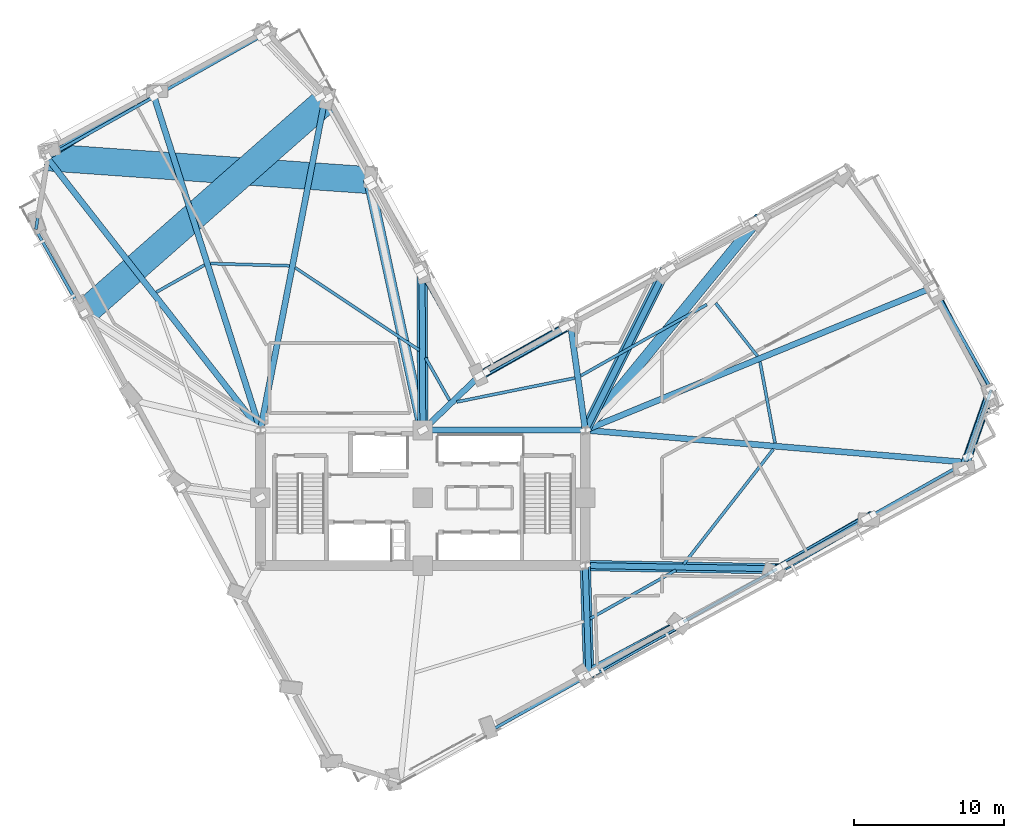
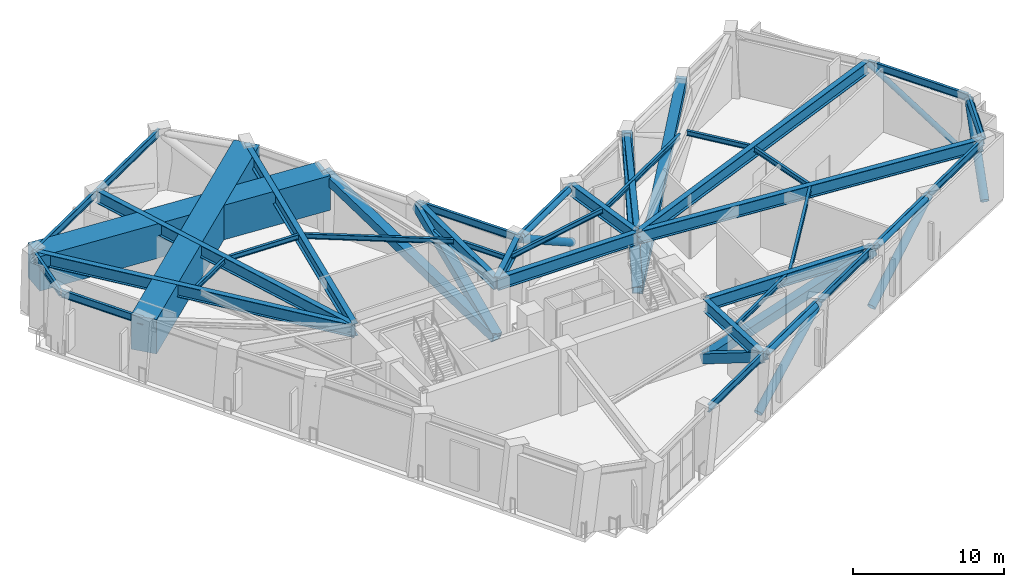
# One storey, part 4 of 15: 36 beams, 17 members.
"""IFC4 building model written with IfcOpenShell, lengths in metres."""

from ifc_helpers import new_model, si_unit, direction, frame, origin, origin_2d, place, context, subcontext, project, spatial, rectangle, hollow_rectangle, hollow_circle, i_section, extrude, material, material_profile, profile_set, type_object, element, save


model = new_model("IFC4")

# Units and contexts
model_context = context("Model", 3, precision=1e-05, world=origin(), true_north=direction((0.0, 1.0)))
body_context = subcontext(model_context, "Body", "Model", "MODEL_VIEW")
ifc_project = project(units=[si_unit("LENGTHUNIT", "METRE"), si_unit("AREAUNIT", "SQUARE_METRE"), si_unit("VOLUMEUNIT", "CUBIC_METRE"), si_unit("PLANEANGLEUNIT", "RADIAN"), si_unit("MASSUNIT", "GRAM", prefix="KILO")], contexts=[model_context])

# Site, building, storey
site_placement = place(None, origin())
site = spatial("IfcSite", under=ifc_project, at=site_placement, CompositionType="ELEMENT")
building_placement = place(site_placement, origin())
building = spatial("IfcBuilding", under=site, at=building_placement, Name="Gaonmaruhae Medical Tower", CompositionType="ELEMENT")
storey_placement = place(building_placement, frame((0.0, 0.0, 144.39990234375)))
storey = spatial("IfcBuildingStorey", under=building, at=storey_placement, Name="L34", CompositionType="ELEMENT", Elevation=144.39990234375)

# Beams
ifc_material_1 = material(Name="Steel SM420", Category="steel")
ifc_material_profile_1 = material_profile(ifc_material_1, i_section(OverallWidth=0.39990234375, OverallDepth=1.0, WebThickness=0.02197265625, FlangeThickness=0.035888671875, at=origin_2d()), Name="BH-1000x400x22x36")
ifc_profile_set_1 = profile_set([ifc_material_profile_1], Name="Steel SM420")
beam_type_1 = type_object("IfcBeamType", Name="BG-02 Refuge Floor Primary Girder (BH-1000x400x22x36)", PredefinedType="BEAM", material=ifc_profile_set_1)
beam_1_placement = place(storey_placement, frame((24.85009765625, 16.800048828125, 4.68017578125), z_axis=(1.0, 0.0, 0.0), x_axis=(0.0, 1.0, 0.0)))
element("IfcBeam", 1, at=beam_1_placement, inside=storey, type_object=beam_type_1, Name="L34 Beam BM-L34-CG-N2", PredefinedType="BEAM", context=body_context, shape_type="SweptSolid", body=[
    extrude(i_section(OverallWidth=0.39990234375, OverallDepth=1.0, WebThickness=0.02197265625, FlangeThickness=0.035888671875, at=origin_2d()), origin(), (0.0, 0.0, 1.0), 10.699951171875),
])
beam_2_placement = place(storey_placement, frame((35.6015625, 7.75, 4.68017578125), z_axis=(0.031759100966, -0.999495552519, 0.0), x_axis=(0.999495552519, 0.031759100966, 0.0)))
element("IfcBeam", 2, at=beam_2_placement, inside=storey, type_object=beam_type_1, Name="L34 Radial Primary Girder S03", PredefinedType="BEAM", context=body_context, shape_type="SweptSolid", body=[
    extrude(i_section(OverallWidth=0.39990234375, OverallDepth=1.0, WebThickness=0.02197265625, FlangeThickness=0.035888671875, at=origin_2d()), origin(), (0.0, 0.0, 1.0), 7.1953125),
])
beam_3_placement = place(storey_placement, frame((35.64990234375, 7.799072265625, 4.68017578125), z_axis=(0.999862745676, -0.01656773398, 0.0), x_axis=(0.01656773398, 0.999862745676, 0.0)))
element("IfcBeam", 3, at=beam_3_placement, inside=storey, type_object=beam_type_1, Name="L34 Radial Primary Girder S05", PredefinedType="BEAM", context=body_context, shape_type="SweptSolid", body=[
    extrude(i_section(OverallWidth=0.39990234375, OverallDepth=1.0, WebThickness=0.02197265625, FlangeThickness=0.035888671875, at=origin_2d()), origin(), (0.0, 0.0, 1.0), 12.6728515625),
])
beam_4_placement = place(storey_placement, frame((35.64990234375, 16.7958984375, 4.68017578125), z_axis=(0.996472030098, -0.083925521932, 0.0), x_axis=(0.083925521932, 0.996472030098, 0.0)))
element("IfcBeam", 4, at=beam_4_placement, inside=storey, type_object=beam_type_1, Name="L34 Radial Primary Girder S07", PredefinedType="BEAM", context=body_context, shape_type="SweptSolid", body=[
    extrude(i_section(OverallWidth=0.39990234375, OverallDepth=1.0, WebThickness=0.02197265625, FlangeThickness=0.035888671875, at=origin_2d()), origin(), (0.0, 0.0, 1.0), 25.2998046875),
])
beam_5_placement = place(storey_placement, frame((35.646240234375, 16.819091796875, 4.68017578125), z_axis=(0.924974280189, 0.380029710667, 0.0), x_axis=(-0.380029710667, 0.924974280189, 0.0)))
element("IfcBeam", 5, at=beam_5_placement, inside=storey, type_object=beam_type_1, Name="L34 Radial Primary Girder E02", PredefinedType="BEAM", context=body_context, shape_type="SweptSolid", body=[
    extrude(i_section(OverallWidth=0.39990234375, OverallDepth=1.0, WebThickness=0.02197265625, FlangeThickness=0.035888671875, at=origin_2d()), origin(), (0.0, 0.0, 1.0), 24.934326171875),
])
beam_6_placement = place(storey_placement, frame((35.593017578125, 16.849609375, 4.68017578125), z_axis=(-0.139323330231, 0.990246943774, 0.0), x_axis=(-0.990246943774, -0.139323330231, 0.0)))
element("IfcBeam", 6, at=beam_6_placement, inside=storey, type_object=beam_type_1, Name="L34 Radial Primary Girder EN03", PredefinedType="BEAM", context=body_context, shape_type="SweptSolid", body=[
    extrude(i_section(OverallWidth=0.39990234375, OverallDepth=1.0, WebThickness=0.02197265625, FlangeThickness=0.035888671875, at=origin_2d()), origin(), (0.0, 0.0, 1.0), 6.989990234375),
])
beam_7_placement = place(storey_placement, frame((24.836181640625, 16.834716796875, 4.68017578125), z_axis=(0.721931498432, 0.691964530573, 0.0), x_axis=(-0.691964530573, 0.721931498432, 0.0)))
element("IfcBeam", 7, at=beam_7_placement, inside=storey, type_object=beam_type_1, Name="L34 Radial Primary Girder KN01", PredefinedType="BEAM", context=body_context, shape_type="SweptSolid", body=[
    extrude(i_section(OverallWidth=0.39990234375, OverallDepth=1.0, WebThickness=0.02197265625, FlangeThickness=0.035888671875, at=origin_2d()), origin(), (0.0, 0.0, 1.0), 5.108154296875),
])
beam_8_placement = place(storey_placement, frame((24.7998046875, 16.85009765625, 4.68017578125), z_axis=(-0.004857779516, 0.999988200919, 0.0), x_axis=(-0.999988200919, -0.004857779516, 0.0)))
element("IfcBeam", 8, at=beam_8_placement, inside=storey, type_object=beam_type_1, Name="L34 Radial Primary Girder NE01", PredefinedType="BEAM", context=body_context, shape_type="SweptSolid", body=[
    extrude(i_section(OverallWidth=0.39990234375, OverallDepth=1.0, WebThickness=0.02197265625, FlangeThickness=0.035888671875, at=origin_2d()), origin(), (0.0, 0.0, 1.0), 10.25244140625),
])
beam_9_placement = place(storey_placement, frame((14.009521484375, 16.84912109375, 4.66015625), z_axis=(0.19138247335, 0.981515536756, 0.0), x_axis=(-0.981515536756, 0.19138247335, 0.0)))
element("IfcBeam", 9, at=beam_9_placement, inside=storey, type_object=beam_type_1, Name="L34 Radial Primary Girder NE03", PredefinedType="BEAM", context=body_context, shape_type="SweptSolid", body=[
    extrude(i_section(OverallWidth=0.39990234375, OverallDepth=1.0, WebThickness=0.02197265625, FlangeThickness=0.035888671875, at=origin_2d()), origin(), (0.0, 0.0, 1.0), 22.158447265625),
])
beam_10_placement = place(storey_placement, frame((13.98486328125, 16.84765625, 4.66015625), z_axis=(-0.303529832907, 0.952821935377, 0.0), x_axis=(-0.952821935377, -0.303529832907, 0.0)))
element("IfcBeam", 10, at=beam_10_placement, inside=storey, type_object=beam_type_1, Name="L34 Radial Primary Girder N02", PredefinedType="BEAM", context=body_context, shape_type="SweptSolid", body=[
    extrude(i_section(OverallWidth=0.39990234375, OverallDepth=1.0, WebThickness=0.02197265625, FlangeThickness=0.035888671875, at=origin_2d()), origin(), (0.0, 0.0, 1.0), 23.169677734375),
])
beam_11_placement = place(storey_placement, frame((13.96923828125, 16.83935546875, 4.66015625), z_axis=(-0.616490472213, 0.787362367446, 0.0), x_axis=(-0.787362367446, -0.616490472213, 0.0)))
element("IfcBeam", 11, at=beam_11_placement, inside=storey, type_object=beam_type_1, Name="L34 Radial Primary Girder N03", PredefinedType="BEAM", context=body_context, shape_type="SweptSolid", body=[
    extrude(i_section(OverallWidth=0.39990234375, OverallDepth=1.0, WebThickness=0.02197265625, FlangeThickness=0.035888671875, at=origin_2d()), origin(), (0.0, 0.0, 1.0), 22.939208984375),
])

# Members
ifc_material_2 = material(Name="Steel HSA650 (650 MPa)", Category="steel")
ifc_material_profile_2 = material_profile(ifc_material_2, hollow_circle(Radius=0.25390625, WallThickness=0.01611328125, at=origin_2d()), Name="CHS-508.0x16.0")
ifc_profile_set_2 = profile_set([ifc_material_profile_2], Name="Steel HSA650 (650 MPa)")
member_type_1 = type_object("IfcMemberType", Name="BT-C1 Belt Truss Perimeter Chord (CHS-508.0x16.0)", PredefinedType="CHORD", material=ifc_profile_set_2)
for number, where, z_axis, x_axis, name in (
    (12, (36.197509765625, 0.71484375, 4.830078125), (0.870782957433, 0.491667612361, 0.0), (-0.491667612361, 0.870782957433, 0.0), "L34 Belt Truss Top Chord BTC01"),
    (13, (48.73681640625, 7.794921875, 4.830078125), (0.870782957433, 0.491667612361, 0.0), (-0.491667612361, 0.870782957433, 0.0), "L34 Belt Truss Top Chord BTC02"),
):
    element("IfcMember", number, at=place(storey_placement, frame(where, z_axis=z_axis, x_axis=x_axis)), inside=storey, type_object=member_type_1, Name=name, PredefinedType="CHORD", context=body_context, shape_type="SweptSolid", body=[
        extrude(hollow_circle(Radius=0.25390625, WallThickness=0.01611328125, at=origin_2d()), origin(), (0.0, 0.0, 1.0), 6.35986328125),
    ])
member_1_placement = place(storey_placement, frame((61.047607421875, 15.065185546875, 4.830078125), z_axis=(0.327253034597, 0.944936744627, 0.0), x_axis=(-0.944936744627, 0.327253034597, 0.0)))
element("IfcMember", 14, at=member_1_placement, inside=storey, type_object=member_type_1, Name="L34 Belt Truss Top Chord BTC03", PredefinedType="CHORD", context=body_context, shape_type="SweptSolid", body=[
    extrude(hollow_circle(Radius=0.25390625, WallThickness=0.01611328125, at=origin_2d()), origin(), (0.0, 0.0, 1.0), 4.29638671875),
])
member_2_placement = place(storey_placement, frame((34.246337890625, 23.614501953125, 4.830078125), z_axis=(-0.870798649519, -0.491639819377, 0.0), x_axis=(0.491639819377, -0.870798649519, 0.0)))
element("IfcMember", 15, at=member_2_placement, inside=storey, type_object=member_type_1, Name="L34 Belt Truss Top Chord BTC05", PredefinedType="CHORD", context=body_context, shape_type="SweptSolid", body=[
    extrude(hollow_circle(Radius=0.25390625, WallThickness=0.01611328125, at=origin_2d()), origin(), (0.0, 0.0, 1.0), 6.10986328125),
])
ifc_material_profile_3 = material_profile(ifc_material_2, hollow_circle(Radius=0.3046875, WallThickness=0.02197265625, at=origin_2d()), Name="CHS-609.6x22.0")
ifc_profile_set_3 = profile_set([ifc_material_profile_3], Name="Steel HSA650 (650 MPa)")
member_type_2 = type_object("IfcMemberType", Name="BT-D2 Belt Truss Diagonal Tubular (CHS-609.6x22.0)", PredefinedType="BRACE", material=ifc_profile_set_3)
member_3_placement = place(storey_placement, frame((35.4287109375, 0.474853515625, 0.35009765625), z_axis=(0.7586245691, 0.406278139033, 0.509339608612), x_axis=(-0.472105945163, 0.881541817807, 0.0)))
element("IfcMember", 16, at=member_3_placement, inside=storey, type_object=member_type_2, Name="L34 Belt Truss Diagonal BTD01", PredefinedType="BRACE", context=body_context, shape_type="SweptSolid", body=[
    extrude(hollow_circle(Radius=0.3046875, WallThickness=0.02197265625, at=origin_2d()), origin(), (0.0, 0.0, 1.0), 8.795654296875),
])
member_4_placement = place(storey_placement, frame((48.08349609375, 7.345703125, 0.35009765625), z_axis=(0.745440734217, 0.430034207162, 0.509302162219), x_axis=(-0.499698256035, 0.866199545668, 0.0)))
element("IfcMember", 17, at=member_4_placement, inside=storey, type_object=member_type_2, Name="L34 Belt Truss Diagonal BTD02", PredefinedType="BRACE", context=body_context, shape_type="SweptSolid", body=[
    extrude(hollow_circle(Radius=0.3046875, WallThickness=0.02197265625, at=origin_2d()), origin(), (0.0, 0.0, 1.0), 8.79638671875),
])
member_5_placement = place(storey_placement, frame((60.738525390625, 14.216796875, 0.35009765625), z_axis=(0.257777351237, 0.738205303423, 0.623380916605), x_axis=(-0.944095182888, 0.329672998056, 0.0)))
element("IfcMember", 18, at=member_5_placement, inside=storey, type_object=member_type_2, Name="L34 Belt Truss Diagonal BTD03", PredefinedType="BRACE", context=body_context, shape_type="SweptSolid", body=[
    extrude(hollow_circle(Radius=0.3046875, WallThickness=0.02197265625, at=origin_2d()), origin(), (0.0, 0.0, 1.0), 7.1865234375),
])
member_6_placement = place(storey_placement, frame((34.595703125, 23.804443359375, 0.35009765625), z_axis=(-0.731596574764, -0.412170418789, 0.543030383744), x_axis=(0.490846748137, -0.871245929599, 0.0)))
element("IfcMember", 19, at=member_6_placement, inside=storey, type_object=member_type_2, Name="L34 Belt Truss Diagonal BTD05", PredefinedType="BRACE", context=body_context, shape_type="SweptSolid", body=[
    extrude(hollow_circle(Radius=0.3046875, WallThickness=0.02197265625, at=origin_2d()), origin(), (0.0, 0.0, 1.0), 8.25),
])

# Beams
ifc_material_3 = material(Name="Steel SM355", Category="steel")
ifc_material_profile_4 = material_profile(ifc_material_3, i_section(OverallWidth=0.199951171875, OverallDepth=0.39990234375, WebThickness=0.008056640625, FlangeThickness=0.012939453125, FilletRadius=0.012939453125, at=origin_2d()), Name="H-400x200x8x13")
ifc_profile_set_4 = profile_set([ifc_material_profile_4], Name="Steel SM355")
beam_type_2 = type_object("IfcBeamType", Name="FJ-01 Lower Zone Ward Floor Joist (H-400x200x8x13)", PredefinedType="JOIST", material=ifc_profile_set_4)
beam_12_placement = place(storey_placement, frame((35.91748046875, 4.26806640625, 4.97998046875), z_axis=(0.870796072267, 0.49164438421, 0.0), x_axis=(-0.49164438421, 0.870796072267, 0.0)))
element("IfcBeam", 20, at=beam_12_placement, inside=storey, type_object=beam_type_2, Name="L34 Secondary Floor Joist FJ02", PredefinedType="JOIST", context=body_context, shape_type="SweptSolid", body=[
    extrude(i_section(OverallWidth=0.199951171875, OverallDepth=0.39990234375, WebThickness=0.008056640625, FlangeThickness=0.012939453125, FilletRadius=0.012939453125, at=origin_2d()), origin(), (0.0, 0.0, 1.0), 6.5673828125),
])
beam_13_placement = place(storey_placement, frame((42.14306640625, 7.896484375, 4.97998046875), z_axis=(0.614947868744, 0.788567764195, 0.0), x_axis=(-0.788567764195, 0.614947868744, 0.0)))
element("IfcBeam", 21, at=beam_13_placement, inside=storey, type_object=beam_type_2, Name="L34 Secondary Floor Joist FJ03", PredefinedType="JOIST", context=body_context, shape_type="SweptSolid", body=[
    extrude(i_section(OverallWidth=0.199951171875, OverallDepth=0.39990234375, WebThickness=0.008056640625, FlangeThickness=0.012939453125, FilletRadius=0.012939453125, at=origin_2d()), origin(), (0.0, 0.0, 1.0), 9.694091796875),
])
beam_14_placement = place(storey_placement, frame((48.21630859375, 15.94384765625, 4.97998046875), z_axis=(-0.181885720371, 0.983319675754, 0.0), x_axis=(-0.983319675754, -0.181885720371, 0.0)))
element("IfcBeam", 22, at=beam_14_placement, inside=storey, type_object=beam_type_2, Name="L34 Secondary Floor Joist FJ04", PredefinedType="JOIST", context=body_context, shape_type="SweptSolid", body=[
    extrude(i_section(OverallWidth=0.199951171875, OverallDepth=0.39990234375, WebThickness=0.008056640625, FlangeThickness=0.012939453125, FilletRadius=0.012939453125, at=origin_2d()), origin(), (0.0, 0.0, 1.0), 5.498046875),
])
beam_15_placement = place(storey_placement, frame((47.045654296875, 21.72509765625, 4.97998046875), z_axis=(-0.618984145608, 0.785403480694, 0.0), x_axis=(-0.785403480694, -0.618984145608, 0.0)))
element("IfcBeam", 23, at=beam_15_placement, inside=storey, type_object=beam_type_2, Name="L34 Secondary Floor Joist FJ05", PredefinedType="JOIST", context=body_context, shape_type="SweptSolid", body=[
    extrude(i_section(OverallWidth=0.199951171875, OverallDepth=0.39990234375, WebThickness=0.008056640625, FlangeThickness=0.012939453125, FilletRadius=0.012939453125, at=origin_2d()), origin(), (0.0, 0.0, 1.0), 4.486083984375),
])
beam_16_placement = place(storey_placement, frame((43.677001953125, 25.14990234375, 4.97998046875), z_axis=(-0.870787690782, -0.491659229123, 0.0), x_axis=(0.491659229123, -0.870787690782, 0.0)))
element("IfcBeam", 24, at=beam_16_placement, inside=storey, type_object=beam_type_2, Name="L34 Secondary Floor Joist FJ06", PredefinedType="JOIST", context=body_context, shape_type="SweptSolid", body=[
    extrude(i_section(OverallWidth=0.199951171875, OverallDepth=0.39990234375, WebThickness=0.008056640625, FlangeThickness=0.012939453125, FilletRadius=0.012939453125, at=origin_2d()), origin(), (0.0, 0.0, 1.0), 9.621826171875),
])
beam_17_placement = place(storey_placement, frame((34.90380859375, 20.26953125, 4.97998046875), z_axis=(-0.980054423742, -0.198729279431, 0.0), x_axis=(0.198729279431, -0.980054423742, 0.0)))
element("IfcBeam", 25, at=beam_17_placement, inside=storey, type_object=beam_type_2, Name="L34 Secondary Floor Joist FJ07", PredefinedType="JOIST", context=body_context, shape_type="SweptSolid", body=[
    extrude(i_section(OverallWidth=0.199951171875, OverallDepth=0.39990234375, WebThickness=0.008056640625, FlangeThickness=0.012939453125, FilletRadius=0.012939453125, at=origin_2d()), origin(), (0.0, 0.0, 1.0), 8.010986328125),
])
beam_18_placement = place(storey_placement, frame((26.57568359375, 18.786865234375, 4.97998046875), z_axis=(-0.491678069864, 0.870777052761, 0.0), x_axis=(-0.870777052761, -0.491678069864, 0.0)))
element("IfcBeam", 26, at=beam_18_placement, inside=storey, type_object=beam_type_2, Name="L34 Secondary Floor Joist FJ08", PredefinedType="JOIST", context=body_context, shape_type="SweptSolid", body=[
    extrude(i_section(OverallWidth=0.199951171875, OverallDepth=0.39990234375, WebThickness=0.008056640625, FlangeThickness=0.012939453125, FilletRadius=0.012939453125, at=origin_2d()), origin(), (0.0, 0.0, 1.0), 3.246337890625),
])
beam_19_placement = place(storey_placement, frame((24.5693359375, 22.113037109375, 4.97998046875), z_axis=(-0.832769593885, 0.553619728243, 0.0), x_axis=(-0.553619728243, -0.832769593885, 0.0)))
element("IfcBeam", 27, at=beam_19_placement, inside=storey, type_object=beam_type_2, Name="L34 Secondary Floor Joist FJ09", PredefinedType="JOIST", context=body_context, shape_type="SweptSolid", body=[
    extrude(i_section(OverallWidth=0.199951171875, OverallDepth=0.39990234375, WebThickness=0.008056640625, FlangeThickness=0.012939453125, FilletRadius=0.012939453125, at=origin_2d()), origin(), (0.0, 0.0, 1.0), 9.91162109375),
])
beam_20_placement = place(storey_placement, frame((15.921142578125, 27.7294921875, 4.97998046875), z_axis=(-0.999588924308, 0.028670235447, 0.0), x_axis=(-0.028670235447, -0.999588924308, 0.0)))
element("IfcBeam", 28, at=beam_20_placement, inside=storey, type_object=beam_type_2, Name="L34 Secondary Floor Joist FJ10", PredefinedType="JOIST", context=body_context, shape_type="SweptSolid", body=[
    extrude(i_section(OverallWidth=0.199951171875, OverallDepth=0.39990234375, WebThickness=0.008056640625, FlangeThickness=0.012939453125, FilletRadius=0.012939453125, at=origin_2d()), origin(), (0.0, 0.0, 1.0), 5.237060546875),
])
beam_21_placement = place(storey_placement, frame((10.285400390625, 27.782470703125, 4.97998046875), z_axis=(-0.870814692962, -0.491611401944, 0.0), x_axis=(0.491611401944, -0.870814692962, 0.0)))
element("IfcBeam", 29, at=beam_21_placement, inside=storey, type_object=beam_type_2, Name="L34 Secondary Floor Joist FJ11", PredefinedType="JOIST", context=body_context, shape_type="SweptSolid", body=[
    extrude(i_section(OverallWidth=0.199951171875, OverallDepth=0.39990234375, WebThickness=0.008056640625, FlangeThickness=0.012939453125, FilletRadius=0.012939453125, at=origin_2d()), origin(), (0.0, 0.0, 1.0), 3.681396484375),
])

# Members
ifc_material_profile_5 = material_profile(ifc_material_2, i_section(OverallWidth=0.4169921875, OverallDepth=0.4580078125, WebThickness=0.030029296875, FlangeThickness=0.050048828125, FilletRadius=0.02197265625, at=origin_2d()), Name="H-458x417x30x50")
ifc_profile_set_5 = profile_set([ifc_material_profile_5], Name="Steel HSA650 (650 MPa)")
member_type_3 = type_object("IfcMemberType", Name="OT-C1 Outrigger Truss Chord (H-458x417x30x50)", PredefinedType="CHORD", material=ifc_profile_set_5)
member_7_placement = place(storey_placement, frame((35.60009765625, 16.800048828125, 4.830078125), z_axis=(0.447279756862, 0.89439410726, 0.0), x_axis=(-0.89439410726, 0.447279756862, 0.0)))
element("IfcMember", 30, at=member_7_placement, inside=storey, type_object=member_type_3, Name="L34 Outrigger Truss Chord OTC04", PredefinedType="CHORD", context=body_context, shape_type="SweptSolid", body=[
    extrude(i_section(OverallWidth=0.4169921875, OverallDepth=0.4580078125, WebThickness=0.030029296875, FlangeThickness=0.050048828125, FilletRadius=0.02197265625, at=origin_2d()), origin(), (0.0, 0.0, 1.0), 11.80810546875),
])
ifc_material_profile_6 = material_profile(ifc_material_2, hollow_rectangle(XDim=0.699951171875, YDim=0.699951171875, WallThickness=0.031982421875, at=origin_2d()), Name="RHS-700x700x32")
ifc_profile_set_6 = profile_set([ifc_material_profile_6], Name="Steel HSA650 (650 MPa)")
member_type_4 = type_object("IfcMemberType", Name="OT-D1 Outrigger Truss Diagonal Lower (RHS-700x700x32)", PredefinedType="BRACE", material=ifc_profile_set_6)
member_8_placement = place(storey_placement, frame((35.60009765625, 7.800048828125, 0.35009765625), z_axis=(0.027062851217, -0.851724106754, 0.523291169482), x_axis=(0.999495582054, 0.031758171472, 0.0)))
element("IfcMember", 31, at=member_8_placement, inside=storey, type_object=member_type_4, Name="L34 Outrigger Truss Diagonal OTD01", PredefinedType="BRACE", context=body_context, shape_type="SweptSolid", body=[
    extrude(hollow_rectangle(XDim=0.699951171875, YDim=0.699951171875, WallThickness=0.031982421875, at=origin_2d()), origin(), (0.0, 0.0, 1.0), 8.561279296875),
])
member_9_placement = place(storey_placement, frame((35.60009765625, 7.800048828125, 0.35009765625), z_axis=(0.943509310326, -0.015637976908, 0.330976789227), x_axis=(0.016571992722, 0.9998626751, 0.0)))
element("IfcMember", 32, at=member_9_placement, inside=storey, type_object=member_type_4, Name="L34 Outrigger Truss Diagonal OTD02", PredefinedType="BRACE", context=body_context, shape_type="SweptSolid", body=[
    extrude(hollow_rectangle(XDim=0.699951171875, YDim=0.699951171875, WallThickness=0.031982421875, at=origin_2d()), origin(), (0.0, 0.0, 1.0), 13.53564453125),
])
member_10_placement = place(storey_placement, frame((35.60009765625, 16.800048828125, 0.35009765625), z_axis=(0.615385552702, 0.751224558332, 0.2386677282), x_axis=(-0.77358002305, 0.633698625482, 0.0)))
element("IfcMember", 33, at=member_10_placement, inside=storey, type_object=member_type_4, Name="L34 Outrigger Truss Diagonal OTD03", PredefinedType="BRACE", context=body_context, shape_type="SweptSolid", body=[
    extrude(hollow_rectangle(XDim=0.699951171875, YDim=0.699951171875, WallThickness=0.031982421875, at=origin_2d()), origin(), (0.0, 0.0, 1.0), 18.770751953125),
])
member_11_placement = place(storey_placement, frame((35.60009765625, 16.800048828125, 0.35009765625), z_axis=(0.418192882556, 0.83623111513, 0.354728396196), x_axis=(-0.89439410726, 0.447279756862, 0.0)))
element("IfcMember", 34, at=member_11_placement, inside=storey, type_object=member_type_4, Name="L34 Outrigger Truss Diagonal OTD04", PredefinedType="BRACE", context=body_context, shape_type="SweptSolid", body=[
    extrude(hollow_rectangle(XDim=0.699951171875, YDim=0.699951171875, WallThickness=0.031982421875, at=origin_2d()), origin(), (0.0, 0.0, 1.0), 12.62939453125),
])
member_12_placement = place(storey_placement, frame((24.800048828125, 16.800048828125, 0.35009765625), z_axis=(-0.004458431495, 0.917744316132, 0.397146689016), x_axis=(-0.99998819997, -0.004857974936, 0.0)))
element("IfcMember", 35, at=member_12_placement, inside=storey, type_object=member_type_4, Name="L34 Outrigger Truss Diagonal OTD05", PredefinedType="BRACE", context=body_context, shape_type="SweptSolid", body=[
    extrude(hollow_rectangle(XDim=0.699951171875, YDim=0.699951171875, WallThickness=0.031982421875, at=origin_2d()), origin(), (0.0, 0.0, 1.0), 11.280517578125),
])
member_13_placement = place(storey_placement, frame((24.800048828125, 16.800048828125, 0.35009765625), z_axis=(-0.204160302574, 0.945209723972, 0.254749187558), x_axis=(-0.977458865948, -0.211125946723, 0.0)))
element("IfcMember", 36, at=member_13_placement, inside=storey, type_object=member_type_4, Name="L34 Outrigger Truss Diagonal OTD06", PredefinedType="BRACE", context=body_context, shape_type="SweptSolid", body=[
    extrude(hollow_rectangle(XDim=0.699951171875, YDim=0.699951171875, WallThickness=0.031982421875, at=origin_2d()), origin(), (0.0, 0.0, 1.0), 17.5859375),
])
ifc_material_profile_7 = material_profile(ifc_material_1, hollow_circle(Radius=0.203125, WallThickness=0.0126953125, at=origin_2d()), Name="CHS-406.4x12.7")
ifc_profile_set_7 = profile_set([ifc_material_profile_7], Name="Steel SM420")
member_type_5 = type_object("IfcMemberType", Name="PB-02 Perimeter Solid-Bay Tube Brace Mid (CHS-406.4x12.7)", PredefinedType="BRACE", material=ifc_profile_set_7)
member_14_placement = place(storey_placement, frame((62.499755859375, 19.0419921875, 0.25), z_axis=(-0.39727171719, 0.771692667812, 0.496654416235), x_axis=(-0.889099726831, -0.457713530223, 0.0)))
element("IfcMember", 37, at=member_14_placement, inside=storey, type_object=member_type_5, Name="L34 Perimeter Tube Solid-Bay Brace E01-E02", PredefinedType="BRACE", context=body_context, shape_type="SweptSolid", body=[
    extrude(hollow_circle(Radius=0.203125, WallThickness=0.0126953125, at=origin_2d()), origin(), (0.0, 0.0, 1.0), 9.42333984375),
])
member_15_placement = place(storey_placement, frame((7.175537109375, 39.412109375, 0.25), z_axis=(-0.751746592195, -0.455574601464, 0.476790146316), x_axis=(0.51827725953, -0.855212653235, 0.0)))
element("IfcMember", 38, at=member_15_placement, inside=storey, type_object=member_type_5, Name="L34 Perimeter Tube Solid-Bay Brace N02-N03", PredefinedType="BRACE", context=body_context, shape_type="SweptSolid", body=[
    extrude(hollow_circle(Radius=0.203125, WallThickness=0.0126953125, at=origin_2d()), origin(), (0.0, 0.0, 1.0), 9.81591796875),
])

# Beams
ifc_material_profile_8 = material_profile(ifc_material_3, i_section(OverallWidth=0.199951171875, OverallDepth=0.60009765625, WebThickness=0.010986328125, FlangeThickness=0.01708984375, FilletRadius=0.012939453125, at=origin_2d()), Name="H-600x200x11x17")
ifc_profile_set_8 = profile_set([ifc_material_profile_8], Name="Steel SM355")
beam_type_3 = type_object("IfcBeamType", Name="SP-01 Lower Perimeter Spandrel Beam (H-600x200x11x17)", PredefinedType="SPANDREL", material=ifc_profile_set_8)
for number, where, z_axis, x_axis, name in (
    (39, (29.596923828125, -3.011962890625, 4.880126953125), (0.870778610974, 0.491675310209, 0.0), (-0.491675310209, 0.870778610974, 0.0), "L34 Perimeter Spandrel Beam S02-S03"),
    (40, (35.866455078125, 0.528076171875, 4.880126953125), (0.870778610974, 0.491675310209, 0.0), (-0.491675310209, 0.870778610974, 0.0), "L34 Perimeter Spandrel Beam S03-S04"),
):
    element("IfcBeam", number, at=place(storey_placement, frame(where, z_axis=z_axis, x_axis=x_axis)), inside=storey, type_object=beam_type_3, Name=name, PredefinedType="SPANDREL", context=body_context, shape_type="SweptSolid", body=[
        extrude(i_section(OverallWidth=0.199951171875, OverallDepth=0.60009765625, WebThickness=0.010986328125, FlangeThickness=0.01708984375, FilletRadius=0.012939453125, at=origin_2d()), origin(), (0.0, 0.0, 1.0), 7.1201171875),
    ])
beam_22_placement = place(storey_placement, frame((42.13623046875, 4.068115234375, 4.880126953125), z_axis=(0.870793291497, 0.49164930945, 0.0), x_axis=(-0.49164930945, 0.870793291497, 0.0)))
element("IfcBeam", 41, at=beam_22_placement, inside=storey, type_object=beam_type_3, Name="L34 Perimeter Spandrel Beam S04-S05", PredefinedType="SPANDREL", context=body_context, shape_type="SweptSolid", body=[
    extrude(i_section(OverallWidth=0.199951171875, OverallDepth=0.60009765625, WebThickness=0.010986328125, FlangeThickness=0.01708984375, FilletRadius=0.012939453125, at=origin_2d()), origin(), (0.0, 0.0, 1.0), 7.119873046875),
])
for number, where, z_axis, x_axis, name in (
    (42, (48.40576171875, 7.60791015625, 4.880126953125), (0.870778610974, 0.491675310209, 0.0), (-0.491675310209, 0.870778610974, 0.0), "L34 Perimeter Spandrel Beam S05-S06"),
    (43, (54.675537109375, 11.14794921875, 4.880126953125), (0.870778610974, 0.491675310209, 0.0), (-0.491675310209, 0.870778610974, 0.0), "L34 Perimeter Spandrel Beam S06-S07"),
):
    element("IfcBeam", number, at=place(storey_placement, frame(where, z_axis=z_axis, x_axis=x_axis)), inside=storey, type_object=beam_type_3, Name=name, PredefinedType="SPANDREL", context=body_context, shape_type="SweptSolid", body=[
        extrude(i_section(OverallWidth=0.199951171875, OverallDepth=0.60009765625, WebThickness=0.010986328125, FlangeThickness=0.01708984375, FilletRadius=0.012939453125, at=origin_2d()), origin(), (0.0, 0.0, 1.0), 7.1201171875),
    ])
beam_23_placement = place(storey_placement, frame((60.92333984375, 14.7060546875, 4.880126953125), z_axis=(0.327258149706, 0.944934973134, 0.0), x_axis=(-0.944934973134, 0.327258149706, 0.0)))
element("IfcBeam", 44, at=beam_23_placement, inside=storey, type_object=beam_type_3, Name="L34 Perimeter Spandrel Beam S07-E01", PredefinedType="SPANDREL", context=body_context, shape_type="SweptSolid", body=[
    extrude(i_section(OverallWidth=0.199951171875, OverallDepth=0.60009765625, WebThickness=0.010986328125, FlangeThickness=0.01708984375, FilletRadius=0.012939453125, at=origin_2d()), origin(), (0.0, 0.0, 1.0), 5.056396484375),
])
beam_24_placement = place(storey_placement, frame((62.571533203125, 19.556640625, 4.880126953125), z_axis=(-0.491653933519, 0.870790680735, 0.0), x_axis=(-0.870790680735, -0.491653933519, 0.0)))
element("IfcBeam", 45, at=beam_24_placement, inside=storey, type_object=beam_type_3, Name="L34 Perimeter Spandrel Beam E01-E02", PredefinedType="SPANDREL", context=body_context, shape_type="SweptSolid", body=[
    extrude(i_section(OverallWidth=0.199951171875, OverallDepth=0.60009765625, WebThickness=0.010986328125, FlangeThickness=0.01708984375, FilletRadius=0.012939453125, at=origin_2d()), origin(), (0.0, 0.0, 1.0), 7.72021484375),
])
beam_25_placement = place(storey_placement, frame((34.5771484375, 23.801513671875, 4.880126953125), z_axis=(-0.870783818659, -0.491666087057, 0.0), x_axis=(0.491666087057, -0.870783818659, 0.0)))
element("IfcBeam", 46, at=beam_25_placement, inside=storey, type_object=beam_type_3, Name="L34 Perimeter Spandrel Beam EN03-KN01", PredefinedType="SPANDREL", context=body_context, shape_type="SweptSolid", body=[
    extrude(i_section(OverallWidth=0.199951171875, OverallDepth=0.60009765625, WebThickness=0.010986328125, FlangeThickness=0.01708984375, FilletRadius=0.012939453125, at=origin_2d()), origin(), (0.0, 0.0, 1.0), 6.869873046875),
])
beam_26_placement = place(storey_placement, frame((28.54052734375, 20.43896484375, 4.880126953125), z_axis=(-0.49169325506, 0.870768478373, 0.0), x_axis=(-0.870768478373, -0.49169325506, 0.0)))
element("IfcBeam", 47, at=beam_26_placement, inside=storey, type_object=beam_type_3, Name="L34 Perimeter Spandrel Beam KN01-NE01", PredefinedType="SPANDREL", context=body_context, shape_type="SweptSolid", body=[
    extrude(i_section(OverallWidth=0.199951171875, OverallDepth=0.60009765625, WebThickness=0.010986328125, FlangeThickness=0.01708984375, FilletRadius=0.012939453125, at=origin_2d()), origin(), (0.0, 0.0, 1.0), 7.669921875),
])
beam_27_placement = place(storey_placement, frame((14.04248046875, 42.98388671875, 4.860107421875), z_axis=(-0.870792336527, -0.491651000859, 0.0), x_axis=(0.491651000859, -0.870792336527, 0.0)))
element("IfcBeam", 48, at=beam_27_placement, inside=storey, type_object=beam_type_3, Name="L34 Perimeter Spandrel Beam N01-N02", PredefinedType="SPANDREL", context=body_context, shape_type="SweptSolid", body=[
    extrude(i_section(OverallWidth=0.199951171875, OverallDepth=0.60009765625, WebThickness=0.010986328125, FlangeThickness=0.01708984375, FilletRadius=0.012939453125, at=origin_2d()), origin(), (0.0, 0.0, 1.0), 8.119873046875),
])
beam_28_placement = place(storey_placement, frame((6.902099609375, 38.952392578125, 4.860107421875), z_axis=(-0.870779464077, -0.491673799325, 0.0), x_axis=(0.491673799325, -0.870779464077, 0.0)))
element("IfcBeam", 49, at=beam_28_placement, inside=storey, type_object=beam_type_3, Name="L34 Perimeter Spandrel Beam N02-N03", PredefinedType="SPANDREL", context=body_context, shape_type="SweptSolid", body=[
    extrude(i_section(OverallWidth=0.199951171875, OverallDepth=0.60009765625, WebThickness=0.010986328125, FlangeThickness=0.01708984375, FilletRadius=0.012939453125, at=origin_2d()), origin(), (0.0, 0.0, 1.0), 8.1201171875),
])
beam_29_placement = place(storey_placement, frame((-0.20947265625, 34.900634765625, 4.860107421875), z_axis=(-0.147377990912, -0.989080243355, 0.0), x_axis=(0.989080243355, -0.147377990912, 0.0)))
element("IfcBeam", 50, at=beam_29_placement, inside=storey, type_object=beam_type_3, Name="L34 Perimeter Spandrel Beam N03-W01", PredefinedType="SPANDREL", context=body_context, shape_type="SweptSolid", body=[
    extrude(i_section(OverallWidth=0.199951171875, OverallDepth=0.60009765625, WebThickness=0.010986328125, FlangeThickness=0.01708984375, FilletRadius=0.012939453125, at=origin_2d()), origin(), (0.0, 0.0, 1.0), 4.80078125),
])
beam_30_placement = place(storey_placement, frame((-0.9033203125, 30.077880859375, 4.860107421875), z_axis=(0.491689337223, -0.870770690631, 0.0), x_axis=(0.870770690631, 0.491689337223, 0.0)))
element("IfcBeam", 51, at=beam_30_placement, inside=storey, type_object=beam_type_3, Name="L34 Perimeter Spandrel Beam W01-W02", PredefinedType="SPANDREL", context=body_context, shape_type="SweptSolid", body=[
    extrude(i_section(OverallWidth=0.199951171875, OverallDepth=0.60009765625, WebThickness=0.010986328125, FlangeThickness=0.01708984375, FilletRadius=0.012939453125, at=origin_2d()), origin(), (0.0, 0.0, 1.0), 6.31982421875),
])
ifc_material_4 = material(Name="Concrete C60/75", Category="concrete")
ifc_material_profile_9 = material_profile(ifc_material_4, rectangle(XDim=1.800048828125, YDim=2.800048828125, at=origin_2d()), Name="TG-1800x2800")
ifc_profile_set_9 = profile_set([ifc_material_profile_9], Name="Concrete C60/75")
beam_type_4 = type_object("IfcBeamType", Name="TG-03 Long-Span Setback & Arch Transfer Girder (TG-1800x2800)", PredefinedType="BEAM", material=ifc_profile_set_9)
beam_31_placement = place(storey_placement, frame((18.259765625, 38.64697265625, 3.760009765625), z_axis=(-0.750820764846, -0.660506002301, 0.0), x_axis=(0.660506002301, -0.750820764846, 0.0)))
element("IfcBeam", 52, at=beam_31_placement, inside=storey, type_object=beam_type_4, Name="L34 Setback Transfer Girder N01", PredefinedType="BEAM", context=body_context, shape_type="SweptSolid", body=[
    extrude(rectangle(XDim=1.800048828125, YDim=2.800048828125, at=origin_2d()), origin(), (0.0, 0.0, 1.0), 21.358154296875),
])
beam_32_placement = place(storey_placement, frame((21.209716796875, 33.42236328125, 3.760009765625), z_axis=(-0.997497289214, 0.070704724111, 0.0), x_axis=(-0.070704724111, -0.997497289214, 0.0)))
element("IfcBeam", 53, at=beam_32_placement, inside=storey, type_object=beam_type_4, Name="L34 Setback Transfer Girder N02", PredefinedType="BEAM", context=body_context, shape_type="SweptSolid", body=[
    extrude(rectangle(XDim=1.800048828125, YDim=2.800048828125, at=origin_2d()), origin(), (0.0, 0.0, 1.0), 21.467041015625),
])

save(model, "model.ifc")
